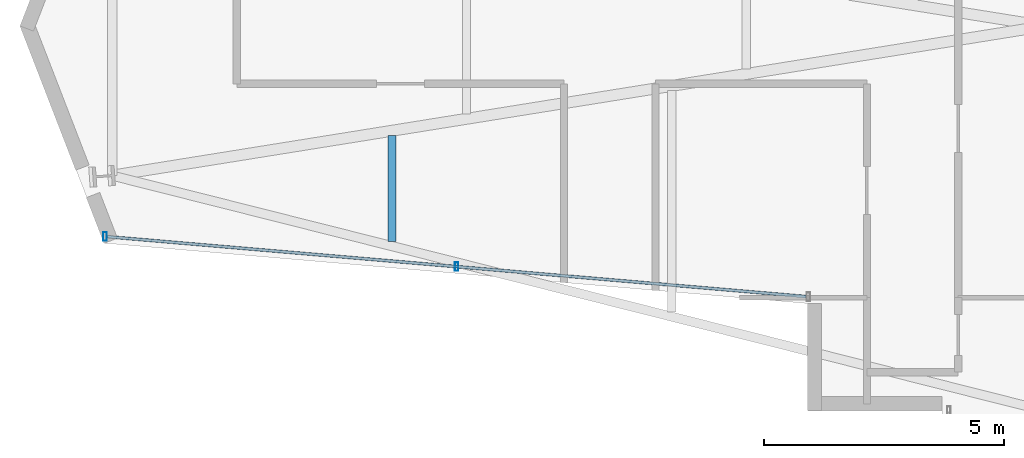
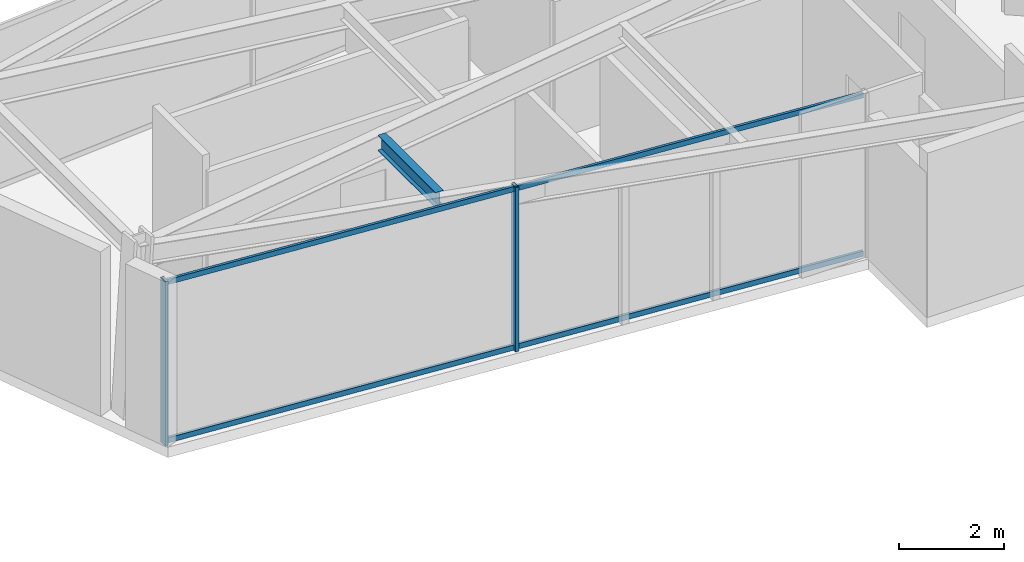
# One storey, part 2 of 26: 4 members, 1 beam, 1 element without a shape of its own.
"""IFC4 building model written with IfcOpenShell, lengths in metres."""

from ifc_helpers import new_model, si_unit, direction, frame, origin, origin_2d, place, context, subcontext, project, spatial, hollow_rectangle, i_section, extrude, material, layer, layer_set, material_profile, profile_set, type_object, element, aggregate, save


model = new_model("IFC4")

# Units and contexts
model_context = context("Model", 3, precision=1e-05, world=origin(), true_north=direction((0.0, 1.0)))
body_context = subcontext(model_context, "Body", "Model", "MODEL_VIEW")
ifc_project = project(units=[si_unit("LENGTHUNIT", "METRE"), si_unit("AREAUNIT", "SQUARE_METRE"), si_unit("VOLUMEUNIT", "CUBIC_METRE"), si_unit("PLANEANGLEUNIT", "RADIAN"), si_unit("MASSUNIT", "GRAM", prefix="KILO")], contexts=[model_context])

# Site, building, storey
site_placement = place(None, origin())
site = spatial("IfcSite", under=ifc_project, at=site_placement, CompositionType="ELEMENT")
building_placement = place(site_placement, origin())
building = spatial("IfcBuilding", under=site, at=building_placement, Name="Veymaron Broadcast Tower", CompositionType="ELEMENT")
storey_placement = place(building_placement, frame((0.0, 0.0, 157.35009765625)))
storey = spatial("IfcBuildingStorey", under=building, at=storey_placement, Name="L36", CompositionType="ELEMENT", Elevation=157.35009765625)

# Beam
ifc_material_1 = material(Name="Structural steel ASTM A992 Gr 50", Category="steel")
ifc_material_profile_1 = material_profile(ifc_material_1, i_section(OverallWidth=0.1708984375, OverallDepth=0.35498046875, WebThickness=0.007080078125, FlangeThickness=0.01171875, at=origin_2d()), Name="W360X51")
ifc_profile_set_1 = profile_set([ifc_material_profile_1], Name="Structural steel ASTM A992 Gr 50")
beam_type = type_object("IfcBeamType", Name="BM-JS2", PredefinedType="JOIST", material=ifc_profile_set_1)
beam_placement = place(storey_placement, frame((17.621337890625, 19.52294921875, 3.63232421875), z_axis=(0.0, 1.0, 0.0), x_axis=(-1.0, 0.0, 0.0)))
element("IfcBeam", 1, at=beam_placement, inside=storey, type_object=beam_type, Name="L36 Arm-A secondary joist 1S", PredefinedType="JOIST", context=body_context, shape_type="SweptSolid", body=[
    extrude(i_section(OverallWidth=0.1708984375, OverallDepth=0.35498046875, WebThickness=0.007080078125, FlangeThickness=0.01171875, at=origin_2d()), origin(), (0.0, 0.0, 1.0), 2.199951171875),
])

# Curtain wall, members
ifc_material_2 = material(Name="Anodised aluminium AA 6063-T6 and laminated low-E dark glass", Category="aluminium")
ifc_layer = layer(ifc_material_2, 0.179931640625)
ifc_layer_set = layer_set([ifc_layer], Name="Anodised aluminium AA 6063-T6 and laminated low-E dark glass")
curtain_wall_type = type_object("IfcCurtainWallType", Name="CW-SYS-03", PredefinedType="NOTDEFINED", material=ifc_layer_set)
curtain_wall_placement = place(storey_placement, origin())
curtain_wall = element("IfcCurtainWall", 2, at=curtain_wall_placement, inside=storey, type_object=curtain_wall_type, Name="L36 dark-glass curtain wall CW-L36-E14-1", PredefinedType="NOTDEFINED")
ifc_material_3 = material(Name="Anodised aluminium AA 6063-T6", Category="aluminium")
ifc_material_profile_2 = material_profile(ifc_material_3, hollow_rectangle(XDim=0.074951171875, YDim=0.179931640625, WallThickness=0.0048828125, at=origin_2d()), Name="AL180X75X5")
ifc_profile_set_2 = profile_set([ifc_material_profile_2], Name="Anodised aluminium AA 6063-T6")
member_type_1 = type_object("IfcMemberType", Name="CW-MUL-02", PredefinedType="MULLION", material=ifc_profile_set_2)
member_1_placement = place(storey_placement, frame((11.652099609375, 19.62353515625, 0.0), z_axis=(0.0, 0.0, 1.0), x_axis=(1.0, 0.0, 0.0)))
member_1 = element("IfcMember", 3, at=member_1_placement, type_object=member_type_1, Name="CW-L36-E14-1 mullion 0", PredefinedType="MULLION", context=body_context, shape_type="SweptSolid", body=[
    extrude(hollow_rectangle(XDim=0.074951171875, YDim=0.179931640625, WallThickness=0.0048828125, at=origin_2d()), origin(), (0.0, 0.0, 1.0), 3.809814453125),
])
member_2_placement = place(storey_placement, frame((18.96728515625, 18.99609375, 0.0), z_axis=(0.0, 0.0, 1.0), x_axis=(1.0, 0.0, 0.0)))
member_2 = element("IfcMember", 4, at=member_2_placement, type_object=member_type_1, Name="CW-L36-E14-1 mullion 1", PredefinedType="MULLION", context=body_context, shape_type="SweptSolid", body=[
    extrude(hollow_rectangle(XDim=0.074951171875, YDim=0.179931640625, WallThickness=0.0048828125, at=origin_2d()), origin(), (0.0, 0.0, 1.0), 3.809814453125),
])
ifc_material_profile_3 = material_profile(ifc_material_3, hollow_rectangle(XDim=0.06005859375, YDim=0.1201171875, WallThickness=0.00390625, at=origin_2d()), Name="AL120X60X4")
ifc_profile_set_3 = profile_set([ifc_material_profile_3], Name="Anodised aluminium AA 6063-T6")
member_type_2 = type_object("IfcMemberType", Name="CW-TRN-02", PredefinedType="USERDEFINED", material=ifc_profile_set_3)
member_3_placement = place(storey_placement, frame((11.701904296875, 19.619140625, 0.06982421875), z_axis=(0.996343148228, -0.085441974336, 0.0), x_axis=(0.085441974336, 0.996343148228, 0.0)))
member_3 = element("IfcMember", 5, at=member_3_placement, type_object=member_type_2, Name="CW-L36-E14-1 transom B", ObjectType="TRANSOM", PredefinedType="USERDEFINED", context=body_context, shape_type="SweptSolid", body=[
    extrude(hollow_rectangle(XDim=0.06005859375, YDim=0.1201171875, WallThickness=0.00390625, at=origin_2d()), origin(), (0.0, 0.0, 1.0), 14.583984375),
])
member_4_placement = place(storey_placement, frame((11.701904296875, 19.619140625, 3.739990234375), z_axis=(0.996343148228, -0.085441974336, 0.0), x_axis=(0.085441974336, 0.996343148228, 0.0)))
member_4 = element("IfcMember", 6, at=member_4_placement, type_object=member_type_2, Name="CW-L36-E14-1 transom T", ObjectType="TRANSOM", PredefinedType="USERDEFINED", context=body_context, shape_type="SweptSolid", body=[
    extrude(hollow_rectangle(XDim=0.06005859375, YDim=0.1201171875, WallThickness=0.00390625, at=origin_2d()), origin(), (0.0, 0.0, 1.0), 14.583984375),
])
aggregate(curtain_wall, [member_1, member_2, member_3, member_4])

save(model, "model.ifc")
